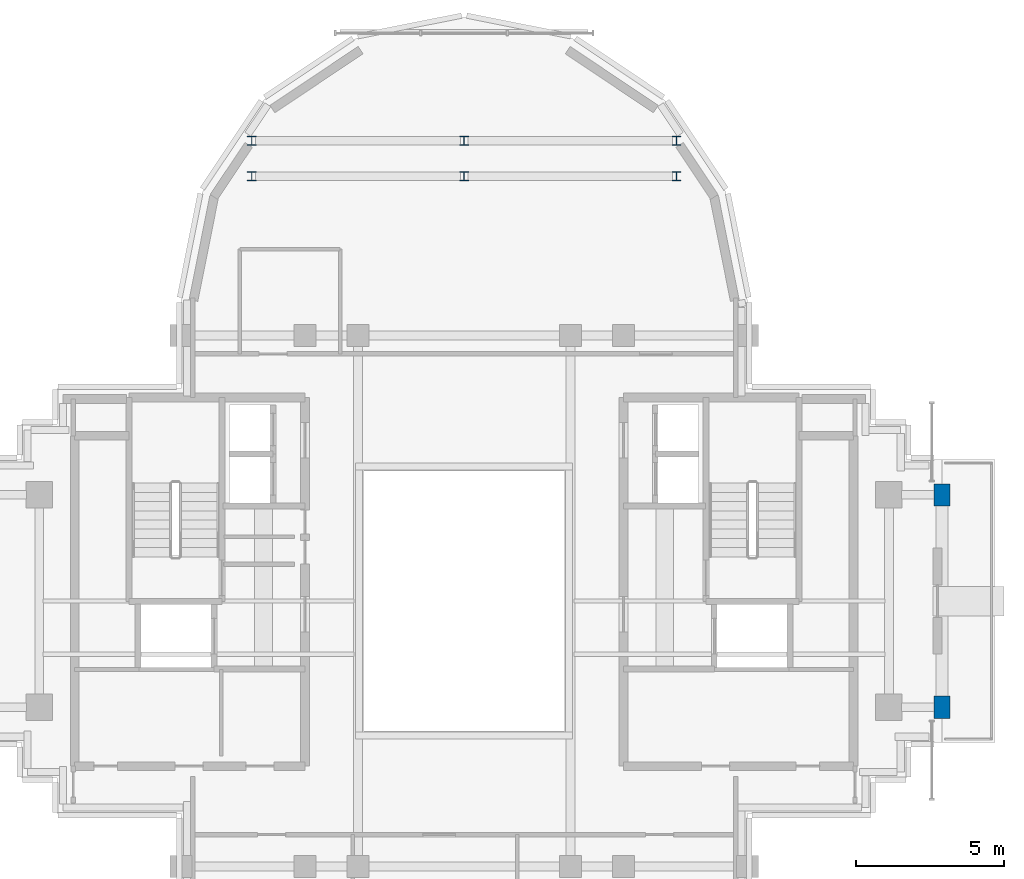
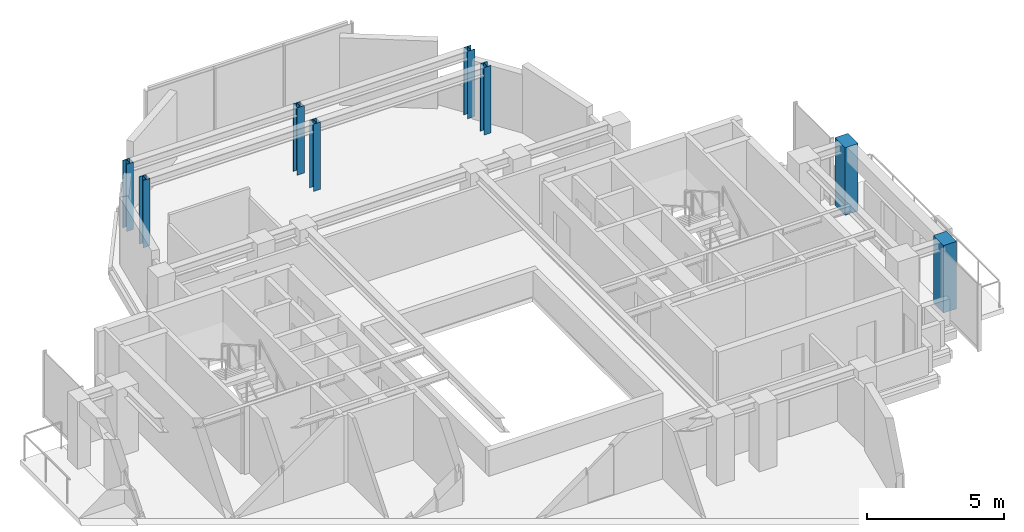
# One storey, part 2 of 12: 8 columns.
"""IFC4 building model written with IfcOpenShell, lengths in metres."""

import ifcopenshell
import ifcopenshell.guid

model = None  # the IFC model being written
_history = None  # IfcOwnerHistory: only IFC2X3 demands one
_inside = {}  # id of a spatial element -> (the spatial element, [elements in it])
_under = {}  # id of a project, library or spatial element -> (it, [spatial elements below it])
_declared = {}  # id of a project -> (the project, [libraries it declares])
_typed = {}  # id of a type object -> (the type object, [elements of that type])
_made_of = {}  # id of a material, layer set ... -> (it, [elements and type objects made of it])


def new_model(schema):
    """Start an empty IFC model of exactly this schema.

    Asked for "IFC4X3", IfcOpenShell would pick the latest addendum, in which some entities
    have other attributes; the version numbers below select the first issue.
    IFC2X3 requires an IfcOwnerHistory on every rooted entity: one is made here for all.
    """
    global model, _history
    if schema == "IFC4X3":
        model = ifcopenshell.file(schema_version=(4, 3, 0, 0))
    else:
        model = ifcopenshell.file(schema=schema)
    _inside.clear()
    _under.clear()
    _declared.clear()
    _typed.clear()
    _made_of.clear()
    _history = None
    if model.schema == "IFC2X3":
        org = make("IfcOrganization", Name="unknown")
        user = make(
            "IfcPersonAndOrganization",
            ThePerson=make("IfcPerson", FamilyName="unknown"),
            TheOrganization=org,
        )
        app = make(
            "IfcApplication",
            ApplicationDeveloper=org,
            Version="unknown",
            ApplicationFullName="unknown",
            ApplicationIdentifier="unknown",
        )
        _history = make(
            "IfcOwnerHistory",
            OwningUser=user,
            OwningApplication=app,
            ChangeAction="ADDED",
            CreationDate=0,
        )
    return model


def make(cls, **values):
    """One entity of the class cls with the attributes given. An attribute that is None is left unset."""
    return model.create_entity(
        cls, **{name: value for name, value in values.items() if value is not None}
    )


def rooted(cls, **values):
    """An entity with a GlobalId (a new one), such as an element, a storey or a relation."""
    return make(cls, GlobalId=ifcopenshell.guid.new(), OwnerHistory=_history, **values)


def si_unit(unit_type, name, prefix=None):
    """IfcSIUnit, for example si_unit("LENGTHUNIT", "METRE", prefix="MILLI")."""
    return make("IfcSIUnit", UnitType=unit_type, Prefix=prefix, Name=name)


def assignment(units):
    """IfcUnitAssignment: the units of a project."""
    return None if units is None else make("IfcUnitAssignment", Units=units)


def point(xyz):
    """IfcCartesianPoint."""
    return None if xyz is None else make("IfcCartesianPoint", Coordinates=xyz)


def direction(xyz):
    """IfcDirection."""
    return None if xyz is None else make("IfcDirection", DirectionRatios=xyz)


def frame(location, z_axis=None, x_axis=None):
    """IfcAxis2Placement3D, a coordinate frame: its origin and axes. An axis left out is left unset."""
    return make(
        "IfcAxis2Placement3D",
        Location=point(location),
        Axis=direction(z_axis),
        RefDirection=direction(x_axis),
    )


def frame_2d(location, x_axis=None):
    """IfcAxis2Placement2D, a coordinate frame in the plane: its origin and x axis."""
    return make(
        "IfcAxis2Placement2D", Location=point(location), RefDirection=direction(x_axis)
    )


def origin():
    """The frame at (0, 0, 0) with its axes left unset."""
    return frame((0.0, 0.0, 0.0))


def origin_2d():
    """The frame at (0, 0) in the plane with its x axis left unset."""
    return frame_2d((0.0, 0.0))


def place(relative_to, where):
    """IfcLocalPlacement: puts the frame where relative to a parent placement (None: the world)."""
    return make(
        "IfcLocalPlacement", PlacementRelTo=relative_to, RelativePlacement=where
    )


def context(
    kind, dimensions, precision=None, world=None, true_north=None, identifier=None
):
    """IfcGeometricRepresentationContext, for example the 3D "Model" context."""
    return make(
        "IfcGeometricRepresentationContext",
        ContextIdentifier=identifier,
        ContextType=kind,
        CoordinateSpaceDimension=dimensions,
        Precision=precision,
        WorldCoordinateSystem=world,
        TrueNorth=true_north,
    )


def subcontext(parent, identifier, kind, view, scale=None):
    """IfcGeometricRepresentationSubContext, for example "Body" below "Model"."""
    return make(
        "IfcGeometricRepresentationSubContext",
        ContextIdentifier=identifier,
        ContextType=kind,
        ParentContext=parent,
        TargetScale=scale,
        TargetView=view,
    )


def project(units=None, contexts=None):
    """IfcProject with its units and contexts."""
    return rooted(
        "IfcProject",
        Name="project",
        RepresentationContexts=contexts,
        UnitsInContext=assignment(units),
    )


def spatial(cls, under=None, at=None, **own):
    """A site, building, storey or space (cls), placed at a placement, below another one or the project."""
    s = rooted(cls, ObjectPlacement=at, **own)
    if under is not None:
        _under.setdefault(under.id(), (under, []))[1].append(s)
    return s


def profile(cls, at=None, kind="AREA", **sizes):
    """A parametric profile (cls). Its sizes go by their IFC names, for example OverallWidth=200.0."""
    return make(cls, ProfileType=kind, Position=at, **sizes)


def rectangle(**sizes):
    """IfcRectangleProfileDef."""
    return profile("IfcRectangleProfileDef", **sizes)


def i_section(**sizes):
    """IfcIShapeProfileDef."""
    return profile("IfcIShapeProfileDef", **sizes)


def extrude(swept, where, along, depth):
    """IfcExtrudedAreaSolid: the profile swept, set in the frame where, extruded along a direction by depth."""
    return make(
        "IfcExtrudedAreaSolid",
        SweptArea=swept,
        Position=where,
        ExtrudedDirection=direction(along),
        Depth=depth,
    )


def shape(context_of_items, identifier, shape_type, items):
    """IfcShapeRepresentation: the items that make up one representation, for example the "Body"."""
    return make(
        "IfcShapeRepresentation",
        ContextOfItems=context_of_items,
        RepresentationIdentifier=identifier,
        RepresentationType=shape_type,
        Items=items,
    )


def source(mapping_origin, context_of_items, identifier, shape_type, items):
    """IfcRepresentationMap: a shape defined once, which mapped items show again and again."""
    return make(
        "IfcRepresentationMap",
        MappingOrigin=mapping_origin,
        MappedRepresentation=shape(context_of_items, identifier, shape_type, items),
    )


def transform(
    local_origin,
    x_axis=None,
    y_axis=None,
    z_axis=None,
    scale=None,
    scale2=None,
    scale3=None,
    uniform=True,
):
    """IfcCartesianTransformationOperator3D, or its non-uniform kind. x_axis, y_axis, z_axis: its Axis1, 2, 3."""
    if uniform:
        return make(
            "IfcCartesianTransformationOperator3D",
            Axis1=direction(x_axis),
            Axis2=direction(y_axis),
            LocalOrigin=point(local_origin),
            Scale=scale,
            Axis3=direction(z_axis),
        )
    return make(
        "IfcCartesianTransformationOperator3DnonUniform",
        Axis1=direction(x_axis),
        Axis2=direction(y_axis),
        LocalOrigin=point(local_origin),
        Scale=scale,
        Axis3=direction(z_axis),
        Scale2=scale2,
        Scale3=scale3,
    )


def mapped(mapping_source, mapping_target):
    """IfcMappedItem: shows the shape of a source again, moved by a transform."""
    return make(
        "IfcMappedItem", MappingSource=mapping_source, MappingTarget=mapping_target
    )


def material(Name=None, Category=None):
    """IfcMaterial."""
    return make("IfcMaterial", Name=Name, Category=Category)


def material_profile(
    of_material, cross_section, Name=None, Category=None, Priority=None
):
    """IfcMaterialProfile: a cross section and its material."""
    return make(
        "IfcMaterialProfile",
        Name=Name,
        Material=of_material,
        Profile=cross_section,
        Priority=Priority,
        Category=Category,
    )


def profile_set(profiles, Name=None, composite=None):
    """IfcMaterialProfileSet."""
    return make(
        "IfcMaterialProfileSet",
        Name=Name,
        MaterialProfiles=profiles,
        CompositeProfile=composite,
    )


def made_of(thing, what):
    """Note that an element or type object is made of a material, layer set ...; save() writes the relation."""
    if what is not None:
        _made_of.setdefault(what.id(), (what, []))[1].append(thing)
    return thing


def type_object(cls, material=None, **own):
    """A type object (cls), such as IfcWallType, which elements share."""
    return made_of(rooted(cls, **own), material)


def element(
    cls,
    number,
    at=None,
    inside=None,
    cuts=None,
    type_object=None,
    material=None,
    context=None,
    identifier="Body",
    shape_type=None,
    held_by="IfcProductDefinitionShape",
    body=None,
    shapes=None,
    **own,
):
    """One element of the class cls, such as IfcWall. Its Tag is "e" and its number.

    at: its placement. inside: the storey or other place that contains it. cuts: it is an
    opening in that element (IfcRelVoidsElement). A single representation is given by context,
    identifier, shape_type and body (its items); several are given by shapes. held_by: the class
    of the entity that holds the representations. save() writes the other relations.
    """
    e = rooted(cls, Tag="e%d" % number, ObjectPlacement=at, **own)
    if body is not None:
        shapes = [shape(context, identifier, shape_type, body)]
    if shapes is not None:
        e.Representation = make(held_by, Representations=shapes)
    if inside is not None:
        _inside.setdefault(inside.id(), (inside, []))[1].append(e)
    if cuts is not None:
        rooted(
            "IfcRelVoidsElement", RelatingBuildingElement=cuts, RelatedOpeningElement=e
        )
    if type_object is not None:
        _typed.setdefault(type_object.id(), (type_object, []))[1].append(e)
    return made_of(e, material)


def aggregate(whole, parts):
    """IfcRelAggregates: a whole, such as a stair, and the parts it consists of."""
    return rooted("IfcRelAggregates", RelatingObject=whole, RelatedObjects=parts)


def save(model, path):
    """Write the relations noted so far, then the file.

    IfcRelAggregates (storeys below a building ...), IfcRelContainedInSpatialStructure (elements
    in a storey), IfcRelDefinesByType, IfcRelAssociatesMaterial and IfcRelDeclares: one each for
    every whole, place, type object, material and project.
    """
    for whole, parts in _under.values():
        aggregate(whole, parts)
    for where, things in _inside.values():
        rooted(
            "IfcRelContainedInSpatialStructure",
            RelatedElements=things,
            RelatingStructure=where,
        )
    for kind, things in _typed.values():
        rooted("IfcRelDefinesByType", RelatedObjects=things, RelatingType=kind)
    for what, things in _made_of.values():
        rooted("IfcRelAssociatesMaterial", RelatedObjects=things, RelatingMaterial=what)
    for by, libraries in _declared.values():
        rooted("IfcRelDeclares", RelatingContext=by, RelatedDefinitions=libraries)
    model.write(path)


model = new_model("IFC4")

# Units and contexts
model_context = context("Model", 3, precision=1e-05, world=origin(), true_north=direction((0.0, 1.0)))
body_context = subcontext(model_context, "Body", "Model", "MODEL_VIEW")
ifc_project = project(units=[si_unit("LENGTHUNIT", "METRE"), si_unit("AREAUNIT", "SQUARE_METRE"), si_unit("VOLUMEUNIT", "CUBIC_METRE"), si_unit("PLANEANGLEUNIT", "RADIAN"), si_unit("MASSUNIT", "GRAM", prefix="KILO")], contexts=[model_context])

# Site, building, storey
site_placement = place(None, origin())
site = spatial("IfcSite", under=ifc_project, at=site_placement, CompositionType="ELEMENT")
building_placement = place(site_placement, origin())
building = spatial("IfcBuilding", under=site, at=building_placement, Name="Keilestroom Media Tower", CompositionType="ELEMENT")
storey_placement = place(building_placement, frame((0.0, 0.0, 252.39990234375)))
storey = spatial("IfcBuildingStorey", under=building, at=storey_placement, Name="L70", CompositionType="ELEMENT", Elevation=252.39990234375)

# Columns
ifc_material_1 = material(Name="Precast concrete C40/50", Category="concrete")
ifc_material_profile_1 = material_profile(ifc_material_1, rectangle(XDim=0.550048828125, YDim=0.75, at=origin_2d()), Name="PC 750x550")
ifc_profile_set_1 = profile_set([ifc_material_profile_1], Name="Precast concrete C40/50")
column_type_1 = type_object("IfcColumnType", Name="Structural-Column-PC-750x550", PredefinedType="COLUMN", material=ifc_profile_set_1)
shared_shape_1 = source(origin(), body_context, "Body", "SweptSolid", [
    extrude(rectangle(XDim=0.550048828125, YDim=0.75, at=origin_2d()), origin(), (0.0, 0.0, 1.0), 3.010009765625),
])
for number, where, z_axis, x_axis, name in (
    (1, (16.199951171875, -3.60009765625, 0.0), (0.0, 0.0, 1.0), (1.0, 0.0, 0.0), "L70 Column PC-3 (+16.2,-3.6)"),
    (2, (16.199951171875, 3.60009765625, 0.0), (0.0, 0.0, 1.0), (1.0, 0.0, 0.0), "L70 Column PC-3 (+16.2,+3.6)"),
):
    element("IfcColumn", number, at=place(storey_placement, frame(where, z_axis=z_axis, x_axis=x_axis)), inside=storey, type_object=column_type_1, Name=name, PredefinedType="COLUMN", context=body_context, shape_type="MappedRepresentation", body=[
        mapped(shared_shape_1, transform((0.0, 0.0, 0.0), x_axis=(1.0, 0.0, 0.0), y_axis=(0.0, 1.0, 0.0), z_axis=(0.0, 0.0, 1.0), scale=1.0)),
    ])
ifc_material_2 = material(Name="Steel S355", Category="steel")
ifc_material_profile_2 = material_profile(ifc_material_2, i_section(OverallWidth=0.300048828125, OverallDepth=0.300048828125, WebThickness=0.010986328125, FlangeThickness=0.01904296875, at=origin_2d()), Name="HEB 300")
ifc_profile_set_2 = profile_set([ifc_material_profile_2], Name="Steel S355")
column_type_2 = type_object("IfcColumnType", Name="Structural-Column-HEB-300", PredefinedType="COLUMN", material=ifc_profile_set_2)
shared_shape_2 = source(origin(), body_context, "Body", "SweptSolid", [
    extrude(i_section(OverallWidth=0.300048828125, OverallDepth=0.300048828125, WebThickness=0.010986328125, FlangeThickness=0.01904296875, at=origin_2d()), origin(), (0.0, 0.0, 1.0), 3.010009765625),
])
for number, where, z_axis, x_axis, name in (
    (3, (-7.199951171875, 14.39990234375, 0.0), (0.0, 0.0, 1.0), (1.0, 0.0, 0.0), "L70 Column SC-5 (-7.2,+14.4)"),
    (4, (-7.199951171875, 15.60009765625, 0.0), (0.0, 0.0, 1.0), (1.0, 0.0, 0.0), "L70 Column SC-5 (-7.2,+15.6)"),
    (5, (0.0, 14.39990234375, 0.0), (0.0, 0.0, 1.0), (1.0, 0.0, 0.0), "L70 Column SC-5 (+0.0,+14.4)"),
    (6, (0.0, 15.60009765625, 0.0), (0.0, 0.0, 1.0), (1.0, 0.0, 0.0), "L70 Column SC-5 (+0.0,+15.6)"),
    (7, (7.199951171875, 14.39990234375, 0.0), (0.0, 0.0, 1.0), (1.0, 0.0, 0.0), "L70 Column SC-5 (+7.2,+14.4)"),
    (8, (7.199951171875, 15.60009765625, 0.0), (0.0, 0.0, 1.0), (1.0, 0.0, 0.0), "L70 Column SC-5 (+7.2,+15.6)"),
):
    element("IfcColumn", number, at=place(storey_placement, frame(where, z_axis=z_axis, x_axis=x_axis)), inside=storey, type_object=column_type_2, Name=name, PredefinedType="COLUMN", context=body_context, shape_type="MappedRepresentation", body=[
        mapped(shared_shape_2, transform((0.0, 0.0, 0.0), x_axis=(1.0, 0.0, 0.0), y_axis=(0.0, 1.0, 0.0), z_axis=(0.0, 0.0, 1.0), scale=1.0)),
    ])

save(model, "model.ifc")
